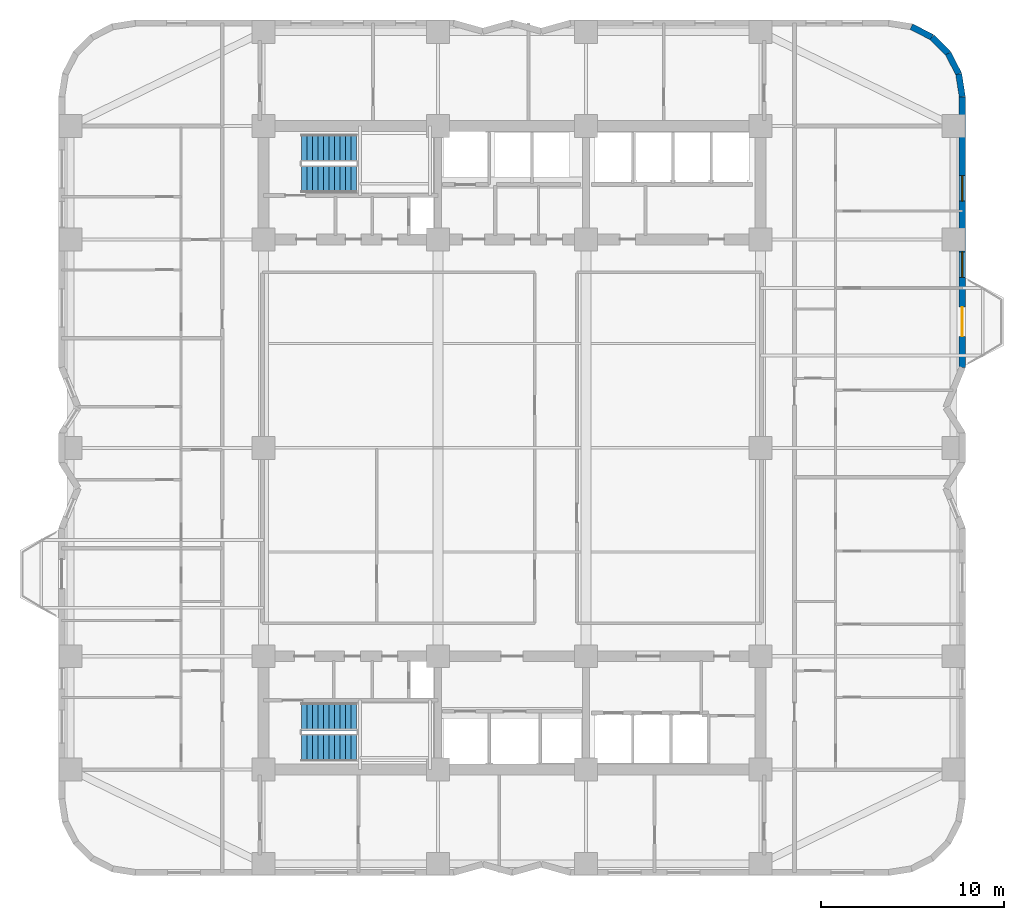
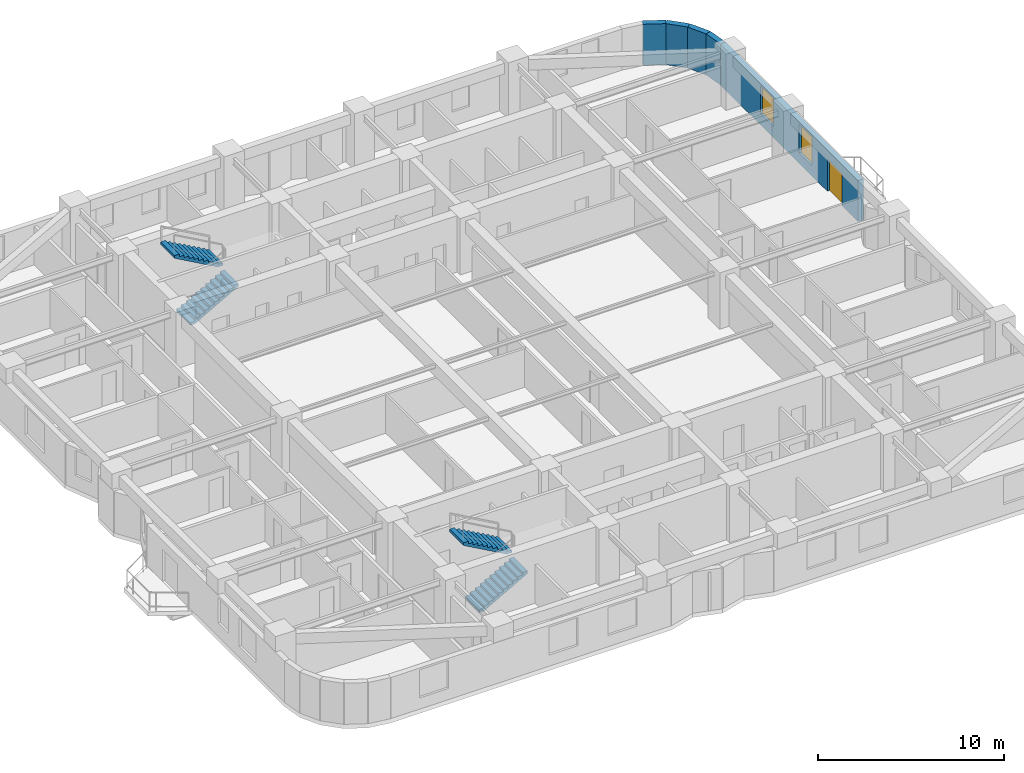
# One storey, part 8 of 10: 5 walls, 4 stair flights, 2 windows, 1 door, 3 openings, 2 elements without a shape of their own.
"""IFC4 building model written with IfcOpenShell, lengths in metres."""

import ifcopenshell
import ifcopenshell.guid

model = None  # the IFC model being written
_history = None  # IfcOwnerHistory: only IFC2X3 demands one
_inside = {}  # id of a spatial element -> (the spatial element, [elements in it])
_under = {}  # id of a project, library or spatial element -> (it, [spatial elements below it])
_declared = {}  # id of a project -> (the project, [libraries it declares])
_typed = {}  # id of a type object -> (the type object, [elements of that type])
_made_of = {}  # id of a material, layer set ... -> (it, [elements and type objects made of it])


def new_model(schema):
    """Start an empty IFC model of exactly this schema.

    Asked for "IFC4X3", IfcOpenShell would pick the latest addendum, in which some entities
    have other attributes; the version numbers below select the first issue.
    IFC2X3 requires an IfcOwnerHistory on every rooted entity: one is made here for all.
    """
    global model, _history
    if schema == "IFC4X3":
        model = ifcopenshell.file(schema_version=(4, 3, 0, 0))
    else:
        model = ifcopenshell.file(schema=schema)
    _inside.clear()
    _under.clear()
    _declared.clear()
    _typed.clear()
    _made_of.clear()
    _history = None
    if model.schema == "IFC2X3":
        org = make("IfcOrganization", Name="unknown")
        user = make(
            "IfcPersonAndOrganization",
            ThePerson=make("IfcPerson", FamilyName="unknown"),
            TheOrganization=org,
        )
        app = make(
            "IfcApplication",
            ApplicationDeveloper=org,
            Version="unknown",
            ApplicationFullName="unknown",
            ApplicationIdentifier="unknown",
        )
        _history = make(
            "IfcOwnerHistory",
            OwningUser=user,
            OwningApplication=app,
            ChangeAction="ADDED",
            CreationDate=0,
        )
    return model


def make(cls, **values):
    """One entity of the class cls with the attributes given. An attribute that is None is left unset."""
    return model.create_entity(
        cls, **{name: value for name, value in values.items() if value is not None}
    )


def rooted(cls, **values):
    """An entity with a GlobalId (a new one), such as an element, a storey or a relation."""
    return make(cls, GlobalId=ifcopenshell.guid.new(), OwnerHistory=_history, **values)


def si_unit(unit_type, name, prefix=None):
    """IfcSIUnit, for example si_unit("LENGTHUNIT", "METRE", prefix="MILLI")."""
    return make("IfcSIUnit", UnitType=unit_type, Prefix=prefix, Name=name)


def assignment(units):
    """IfcUnitAssignment: the units of a project."""
    return None if units is None else make("IfcUnitAssignment", Units=units)


def point(xyz):
    """IfcCartesianPoint."""
    return None if xyz is None else make("IfcCartesianPoint", Coordinates=xyz)


def direction(xyz):
    """IfcDirection."""
    return None if xyz is None else make("IfcDirection", DirectionRatios=xyz)


def frame(location, z_axis=None, x_axis=None):
    """IfcAxis2Placement3D, a coordinate frame: its origin and axes. An axis left out is left unset."""
    return make(
        "IfcAxis2Placement3D",
        Location=point(location),
        Axis=direction(z_axis),
        RefDirection=direction(x_axis),
    )


def frame_2d(location, x_axis=None):
    """IfcAxis2Placement2D, a coordinate frame in the plane: its origin and x axis."""
    return make(
        "IfcAxis2Placement2D", Location=point(location), RefDirection=direction(x_axis)
    )


def origin():
    """The frame at (0, 0, 0) with its axes left unset."""
    return frame((0.0, 0.0, 0.0))


def place(relative_to, where):
    """IfcLocalPlacement: puts the frame where relative to a parent placement (None: the world)."""
    return make(
        "IfcLocalPlacement", PlacementRelTo=relative_to, RelativePlacement=where
    )


def context(
    kind, dimensions, precision=None, world=None, true_north=None, identifier=None
):
    """IfcGeometricRepresentationContext, for example the 3D "Model" context."""
    return make(
        "IfcGeometricRepresentationContext",
        ContextIdentifier=identifier,
        ContextType=kind,
        CoordinateSpaceDimension=dimensions,
        Precision=precision,
        WorldCoordinateSystem=world,
        TrueNorth=true_north,
    )


def subcontext(parent, identifier, kind, view, scale=None):
    """IfcGeometricRepresentationSubContext, for example "Body" below "Model"."""
    return make(
        "IfcGeometricRepresentationSubContext",
        ContextIdentifier=identifier,
        ContextType=kind,
        ParentContext=parent,
        TargetScale=scale,
        TargetView=view,
    )


def project(units=None, contexts=None):
    """IfcProject with its units and contexts."""
    return rooted(
        "IfcProject",
        Name="project",
        RepresentationContexts=contexts,
        UnitsInContext=assignment(units),
    )


def spatial(cls, under=None, at=None, **own):
    """A site, building, storey or space (cls), placed at a placement, below another one or the project."""
    s = rooted(cls, ObjectPlacement=at, **own)
    if under is not None:
        _under.setdefault(under.id(), (under, []))[1].append(s)
    return s


def polyline(points):
    """IfcPolyline through the points."""
    return make("IfcPolyline", Points=[point(p) for p in points])


def profile(cls, at=None, kind="AREA", **sizes):
    """A parametric profile (cls). Its sizes go by their IFC names, for example OverallWidth=200.0."""
    return make(cls, ProfileType=kind, Position=at, **sizes)


def rectangle(**sizes):
    """IfcRectangleProfileDef."""
    return profile("IfcRectangleProfileDef", **sizes)


def outline(outer, holes=None, kind="AREA"):
    """IfcArbitraryClosedProfileDef: a profile drawn as a closed curve; with holes, ...WithVoids."""
    if holes is None:
        return make("IfcArbitraryClosedProfileDef", ProfileType=kind, OuterCurve=outer)
    return make(
        "IfcArbitraryProfileDefWithVoids",
        ProfileType=kind,
        OuterCurve=outer,
        InnerCurves=holes,
    )


def extrude(swept, where, along, depth):
    """IfcExtrudedAreaSolid: the profile swept, set in the frame where, extruded along a direction by depth."""
    return make(
        "IfcExtrudedAreaSolid",
        SweptArea=swept,
        Position=where,
        ExtrudedDirection=direction(along),
        Depth=depth,
    )


def shape(context_of_items, identifier, shape_type, items):
    """IfcShapeRepresentation: the items that make up one representation, for example the "Body"."""
    return make(
        "IfcShapeRepresentation",
        ContextOfItems=context_of_items,
        RepresentationIdentifier=identifier,
        RepresentationType=shape_type,
        Items=items,
    )


def material(Name=None, Category=None):
    """IfcMaterial."""
    return make("IfcMaterial", Name=Name, Category=Category)


def layer(
    of_material, thickness, ventilated=None, Name=None, Category=None, Priority=None
):
    """IfcMaterialLayer: one layer of a wall or slab, of a material (None: an air gap)."""
    return make(
        "IfcMaterialLayer",
        Material=of_material,
        LayerThickness=thickness,
        IsVentilated=ventilated,
        Name=Name,
        Category=Category,
        Priority=Priority,
    )


def layer_set(layers, Name=None):
    """IfcMaterialLayerSet."""
    return make("IfcMaterialLayerSet", MaterialLayers=layers, LayerSetName=Name)


def made_of(thing, what):
    """Note that an element or type object is made of a material, layer set ...; save() writes the relation."""
    if what is not None:
        _made_of.setdefault(what.id(), (what, []))[1].append(thing)
    return thing


def type_object(cls, material=None, **own):
    """A type object (cls), such as IfcWallType, which elements share."""
    return made_of(rooted(cls, **own), material)


def element(
    cls,
    number,
    at=None,
    inside=None,
    cuts=None,
    type_object=None,
    material=None,
    context=None,
    identifier="Body",
    shape_type=None,
    held_by="IfcProductDefinitionShape",
    body=None,
    shapes=None,
    **own,
):
    """One element of the class cls, such as IfcWall. Its Tag is "e" and its number.

    at: its placement. inside: the storey or other place that contains it. cuts: it is an
    opening in that element (IfcRelVoidsElement). A single representation is given by context,
    identifier, shape_type and body (its items); several are given by shapes. held_by: the class
    of the entity that holds the representations. save() writes the other relations.
    """
    e = rooted(cls, Tag="e%d" % number, ObjectPlacement=at, **own)
    if body is not None:
        shapes = [shape(context, identifier, shape_type, body)]
    if shapes is not None:
        e.Representation = make(held_by, Representations=shapes)
    if inside is not None:
        _inside.setdefault(inside.id(), (inside, []))[1].append(e)
    if cuts is not None:
        rooted(
            "IfcRelVoidsElement", RelatingBuildingElement=cuts, RelatedOpeningElement=e
        )
    if type_object is not None:
        _typed.setdefault(type_object.id(), (type_object, []))[1].append(e)
    return made_of(e, material)


def fill(opening, filler):
    """IfcRelFillsElement: the door or window that sits in an opening."""
    return rooted(
        "IfcRelFillsElement",
        RelatingOpeningElement=opening,
        RelatedBuildingElement=filler,
    )


def aggregate(whole, parts):
    """IfcRelAggregates: a whole, such as a stair, and the parts it consists of."""
    return rooted("IfcRelAggregates", RelatingObject=whole, RelatedObjects=parts)


def save(model, path):
    """Write the relations noted so far, then the file.

    IfcRelAggregates (storeys below a building ...), IfcRelContainedInSpatialStructure (elements
    in a storey), IfcRelDefinesByType, IfcRelAssociatesMaterial and IfcRelDeclares: one each for
    every whole, place, type object, material and project.
    """
    for whole, parts in _under.values():
        aggregate(whole, parts)
    for where, things in _inside.values():
        rooted(
            "IfcRelContainedInSpatialStructure",
            RelatedElements=things,
            RelatingStructure=where,
        )
    for kind, things in _typed.values():
        rooted("IfcRelDefinesByType", RelatedObjects=things, RelatingType=kind)
    for what, things in _made_of.values():
        rooted("IfcRelAssociatesMaterial", RelatedObjects=things, RelatingMaterial=what)
    for by, libraries in _declared.values():
        rooted("IfcRelDeclares", RelatingContext=by, RelatedDefinitions=libraries)
    model.write(path)


model = new_model("IFC4")

# Units and contexts
model_context = context("Model", 3, precision=1e-05, world=origin(), true_north=direction((0.0, 1.0)))
body_context = subcontext(model_context, "Body", "Model", "MODEL_VIEW")
ifc_project = project(units=[si_unit("LENGTHUNIT", "METRE"), si_unit("AREAUNIT", "SQUARE_METRE"), si_unit("VOLUMEUNIT", "CUBIC_METRE"), si_unit("PLANEANGLEUNIT", "RADIAN"), si_unit("MASSUNIT", "GRAM", prefix="KILO")], contexts=[model_context])

# Site, building, storey
site_placement = place(None, origin())
site = spatial("IfcSite", under=ifc_project, at=site_placement, CompositionType="ELEMENT")
building_placement = place(site_placement, origin())
building = spatial("IfcBuilding", under=site, at=building_placement, Name="Svetorya Sky Lyceum", CompositionType="ELEMENT")
storey_placement = place(building_placement, frame((0.0, 0.0, 43.60009765625)))
storey = spatial("IfcBuildingStorey", under=building, at=storey_placement, Name="L10", CompositionType="ELEMENT", Elevation=43.60009765625)

# Wall, openings, door, windows
ifc_material_1 = material(Name="Putilovo limestone rainscreen on autoclaved cellular masonry", Category="masonry")
ifc_layer = layer(ifc_material_1, 0.340087890625)
ifc_layer_set = layer_set([ifc_layer], Name="Putilovo limestone rainscreen on autoclaved cellular masonry")
wall_type = type_object("IfcWallType", Name="WL-EXT-340", PredefinedType="SOLIDWALL", material=ifc_layer_set)
wall_1_placement = place(storey_placement, frame((63.830078125, 32.60009765625, 0.0), z_axis=(0.0, 0.0, 1.0), x_axis=(0.0, 1.0, 0.0)))
wall_1 = element("IfcWall", 1, at=wall_1_placement, inside=storey, type_object=wall_type, Name="L10 Limestone Exterior Wall 23M", PredefinedType="SOLIDWALL", context=body_context, shape_type="SweptSolid", body=[
    extrude(rectangle(XDim=14.7998046875, YDim=0.340087890625, at=frame_2d((7.39990234375, 0.0))), origin(), (0.0, 0.0, 1.0), 2.699951171875),
])
opening_1_placement = place(wall_1_placement, frame((1.699951171875, 0.0, 0.0)))
opening_1 = element("IfcOpeningElement", 2, at=opening_1_placement, cuts=wall_1, Name="Opening D-BL1", PredefinedType="OPENING", context=body_context, shape_type="SweptSolid", body=[
    extrude(rectangle(XDim=1.60009765625, YDim=2.10009765625, at=frame_2d((0.800048828125, 1.050048828125))), frame((0.0, 0.179931640625, 0.0), z_axis=(0.0, -1.0, 0.0), x_axis=(1.0, 0.0, 0.0)), (0.0, 0.0, 1.0), 0.360107421875),
])
opening_2_placement = place(wall_1_placement, frame((4.919921875, 0.0, 0.68994140625)))
opening_2 = element("IfcOpeningElement", 3, at=opening_2_placement, cuts=wall_1, Name="Opening W-R2", PredefinedType="OPENING", context=body_context, shape_type="SweptSolid", body=[
    extrude(rectangle(XDim=1.39990234375, YDim=1.85009765625, at=frame_2d((0.699951171875, 0.925048828125))), frame((0.0, 0.179931640625, 0.0), z_axis=(0.0, -1.0, 0.0), x_axis=(1.0, 0.0, 0.0)), (0.0, 0.0, 1.0), 0.360107421875),
])
opening_3_placement = place(wall_1_placement, frame((9.08740234375, 0.0, 0.72998046875)))
opening_3 = element("IfcOpeningElement", 4, at=opening_3_placement, cuts=wall_1, Name="Opening W-R2", PredefinedType="OPENING", context=body_context, shape_type="SweptSolid", body=[
    extrude(rectangle(XDim=1.39990234375, YDim=1.85009765625, at=frame_2d((0.699951171875, 0.925048828125))), frame((0.0, 0.179931640625, 0.0), z_axis=(0.0, -1.0, 0.0), x_axis=(1.0, 0.0, 0.0)), (0.0, 0.0, 1.0), 0.360107421875),
])
ifc_material_2 = material(Name="Insulated glazed aluminium balcony door", Category="aluminium")
door_type = type_object("IfcDoorType", Name="DR-BAL-1600", OperationType="DOUBLE_DOOR_SINGLE_SWING", PredefinedType="DOOR", material=ifc_material_2)
door_placement = place(opening_1_placement, origin())
door = element("IfcDoor", 5, at=door_placement, inside=storey, type_object=door_type, Name="L10 Balcony BAL-E1 Door", OperationType="DOUBLE_DOOR_SINGLE_SWING", OverallHeight=2.10009765625, OverallWidth=1.60009765625, PredefinedType="DOOR", context=body_context, shape_type="SweptSolid", body=[
    extrude(rectangle(XDim=1.60009765625, YDim=2.10009765625, at=frame_2d((0.800048828125, 1.050048828125))), frame((0.0, 0.02490234375, 0.0), z_axis=(0.0, -1.0, 0.0), x_axis=(1.0, 0.0, 0.0)), (0.0, 0.0, 1.0), 0.050048828125),
])
fill(opening_1, door)
ifc_material_3 = material(Name="Thermally broken aluminium frame with triple low-E glazing", Category="aluminium")
window_type = type_object("IfcWindowType", Name="WN-RES-140", PartitioningType="SINGLE_PANEL", PredefinedType="WINDOW", material=ifc_material_3)
window_1_placement = place(opening_2_placement, origin())
window_1 = element("IfcWindow", 6, at=window_1_placement, inside=storey, type_object=window_type, Name="L10 Facade Window W-R2.23M.2", OverallHeight=1.85009765625, OverallWidth=1.39990234375, PartitioningType="SINGLE_PANEL", PredefinedType="WINDOW", context=body_context, shape_type="SweptSolid", body=[
    extrude(rectangle(XDim=1.39990234375, YDim=1.85009765625, at=frame_2d((0.699951171875, 0.925048828125))), frame((0.0, 0.030029296875, 0.0), z_axis=(0.0, -1.0, 0.0), x_axis=(1.0, 0.0, 0.0)), (0.0, 0.0, 1.0), 0.06005859375),
])
fill(opening_2, window_1)
window_2_placement = place(opening_3_placement, origin())
window_2 = element("IfcWindow", 7, at=window_2_placement, inside=storey, type_object=window_type, Name="L10 Facade Window W-R2.23M.1", OverallHeight=1.85009765625, OverallWidth=1.39990234375, PartitioningType="SINGLE_PANEL", PredefinedType="WINDOW", context=body_context, shape_type="SweptSolid", body=[
    extrude(rectangle(XDim=1.39990234375, YDim=1.85009765625, at=frame_2d((0.699951171875, 0.925048828125))), frame((0.0, 0.030029296875, 0.0), z_axis=(0.0, -1.0, 0.0), x_axis=(1.0, 0.0, 0.0)), (0.0, 0.0, 1.0), 0.06005859375),
])
fill(opening_3, window_2)

# Walls
for number, where, z_axis, x_axis, name in (
    (8, (63.830078125, 47.39990234375, 0.0), (0.0, 0.0, 1.0), (-0.15644975923, 0.987685918112, 0.0), "L10 Limestone Exterior Wall 24M"),
    (9, (63.6328125, 48.645263671875, 0.0), (0.0, 0.0, 1.0), (-0.454015689056, 0.890993689142, 0.0), "L10 Limestone Exterior Wall 25M"),
    (10, (63.060302734375, 49.768798828125, 0.0), (0.0, 0.0, 1.0), (-0.707106781187, 0.707106781187, 0.0), "L10 Limestone Exterior Wall 26M"),
):
    element("IfcWall", number, at=place(storey_placement, frame(where, z_axis=z_axis, x_axis=x_axis)), inside=storey, type_object=wall_type, Name=name, PredefinedType="SOLIDWALL", context=body_context, shape_type="SweptSolid", body=[
        extrude(rectangle(XDim=1.260986328125, YDim=0.340087890625, at=frame_2d((0.63037109375, 0.0))), origin(), (0.0, 0.0, 1.0), 2.699951171875),
    ])
wall_2_placement = place(storey_placement, frame((62.168701171875, 50.660400390625, 0.0), z_axis=(0.0, 0.0, 1.0), x_axis=(-0.890953769915, 0.454094020963, 0.0)))
element("IfcWall", 11, at=wall_2_placement, inside=storey, type_object=wall_type, Name="L10 Limestone Exterior Wall 27M", PredefinedType="SOLIDWALL", context=body_context, shape_type="SweptSolid", body=[
    extrude(rectangle(XDim=1.2607421875, YDim=0.340087890625, at=frame_2d((0.63037109375, 0.0))), origin(), (0.0, 0.0, 1.0), 2.699951171875),
])

# Stair, stair flights
ifc_material_4 = material(Name="Concrete C40/50", Category="concrete")
stair_type_1 = type_object("IfcStairType", Name="STR-ST-N", PredefinedType="HALF_TURN_STAIR", material=ifc_material_4)
stair_1_placement = place(storey_placement, origin())
stair_1 = element("IfcStair", 12, at=stair_1_placement, inside=storey, type_object=stair_type_1, Name="L10 North Core Smoke-Free Exit Stair N3", PredefinedType="HALF_TURN_STAIR")
stair_flight_type_1 = type_object("IfcStairFlightType", Name="SFL-ST-N", PredefinedType="STRAIGHT", material=ifc_material_4)
stair_flight_1_placement = place(storey_placement, frame((27.699951171875, 42.89990234375, 0.0), z_axis=(0.0, 0.0, 1.0), x_axis=(1.0, 0.0, 0.0)))
stair_flight_1 = element("IfcStairFlight", 13, at=stair_flight_1_placement, type_object=stair_flight_type_1, Name="ST-N flight 1", NumberOfRisers=11, NumberOfTreads=10, PredefinedType="STRAIGHT", RiserHeight=0.168181818, TreadLength=0.3, context=body_context, shape_type="SweptSolid", body=[
    extrude(outline(polyline([(0.0, 0.0), (0.0, 0.168212890625), (0.300048828125, 0.168212890625), (0.300048828125, 0.33642578125), (0.60009765625, 0.33642578125), (0.60009765625, 0.504638671875), (0.89990234375, 0.504638671875), (0.89990234375, 0.672607421875), (1.199951171875, 0.672607421875), (1.199951171875, 0.8408203125), (1.5, 0.8408203125), (1.5, 1.009033203125), (1.800048828125, 1.009033203125), (1.800048828125, 1.17724609375), (2.10009765625, 1.17724609375), (2.10009765625, 1.345458984375), (2.39990234375, 1.345458984375), (2.39990234375, 1.513671875), (2.699951171875, 1.513671875), (2.699951171875, 1.681884765625), (3.0, 1.681884765625), (3.0, 1.85009765625), (3.0, 1.510009765625), (0.306640625, 0.0), (0.0, 0.0)])), frame((0.0, 0.75, 0.0), z_axis=(0.0, -1.0, 0.0), x_axis=(1.0, 0.0, 0.0)), (0.0, 0.0, 1.0), 1.5),
])
stair_flight_2_placement = place(storey_placement, frame((30.699951171875, 44.60009765625, 1.849853515625), z_axis=(0.0, 0.0, 1.0), x_axis=(-1.0, 0.0, 0.0)))
stair_flight_2 = element("IfcStairFlight", 14, at=stair_flight_2_placement, type_object=stair_flight_type_1, Name="ST-N flight 2", NumberOfRisers=11, NumberOfTreads=10, PredefinedType="STRAIGHT", RiserHeight=0.168181818, TreadLength=0.3, context=body_context, shape_type="SweptSolid", body=[
    extrude(outline(polyline([(0.0, 0.0), (0.0, 0.168212890625), (0.300048828125, 0.168212890625), (0.300048828125, 0.33642578125), (0.60009765625, 0.33642578125), (0.60009765625, 0.504638671875), (0.89990234375, 0.504638671875), (0.89990234375, 0.672607421875), (1.199951171875, 0.672607421875), (1.199951171875, 0.8408203125), (1.5, 0.8408203125), (1.5, 1.009033203125), (1.800048828125, 1.009033203125), (1.800048828125, 1.17724609375), (2.10009765625, 1.17724609375), (2.10009765625, 1.345458984375), (2.39990234375, 1.345458984375), (2.39990234375, 1.513671875), (2.699951171875, 1.513671875), (2.699951171875, 1.681884765625), (3.0, 1.681884765625), (3.0, 1.85009765625), (3.0, 1.510009765625), (0.306640625, 0.0), (0.0, 0.0)])), frame((0.0, 0.75, 0.0), z_axis=(0.0, -1.0, 0.0), x_axis=(1.0, 0.0, 0.0)), (0.0, 0.0, 1.0), 1.5),
])
aggregate(stair_1, [stair_flight_1, stair_flight_2])

stair_type_2 = type_object("IfcStairType", Name="STR-ST-S", PredefinedType="HALF_TURN_STAIR", material=ifc_material_4)
stair_2_placement = place(storey_placement, origin())
stair_2 = element("IfcStair", 15, at=stair_2_placement, inside=storey, type_object=stair_type_2, Name="L10 South Core Smoke-Free Exit Stair N2", PredefinedType="HALF_TURN_STAIR")
stair_flight_type_2 = type_object("IfcStairFlightType", Name="SFL-ST-S", PredefinedType="STRAIGHT", material=ifc_material_4)
stair_flight_3_placement = place(storey_placement, frame((27.699951171875, 11.800048828125, 0.0), z_axis=(0.0, 0.0, 1.0), x_axis=(1.0, 0.0, 0.0)))
stair_flight_3 = element("IfcStairFlight", 16, at=stair_flight_3_placement, type_object=stair_flight_type_2, Name="ST-S flight 1", NumberOfRisers=11, NumberOfTreads=10, PredefinedType="STRAIGHT", RiserHeight=0.168181818, TreadLength=0.3, context=body_context, shape_type="SweptSolid", body=[
    extrude(outline(polyline([(0.0, 0.0), (0.0, 0.168212890625), (0.300048828125, 0.168212890625), (0.300048828125, 0.33642578125), (0.60009765625, 0.33642578125), (0.60009765625, 0.504638671875), (0.89990234375, 0.504638671875), (0.89990234375, 0.672607421875), (1.199951171875, 0.672607421875), (1.199951171875, 0.8408203125), (1.5, 0.8408203125), (1.5, 1.009033203125), (1.800048828125, 1.009033203125), (1.800048828125, 1.17724609375), (2.10009765625, 1.17724609375), (2.10009765625, 1.345458984375), (2.39990234375, 1.345458984375), (2.39990234375, 1.513671875), (2.699951171875, 1.513671875), (2.699951171875, 1.681884765625), (3.0, 1.681884765625), (3.0, 1.85009765625), (3.0, 1.510009765625), (0.306640625, 0.0), (0.0, 0.0)])), frame((0.0, 0.75, 0.0), z_axis=(0.0, -1.0, 0.0), x_axis=(1.0, 0.0, 0.0)), (0.0, 0.0, 1.0), 1.5),
])
stair_flight_4_placement = place(storey_placement, frame((30.699951171875, 13.5, 1.849853515625), z_axis=(0.0, 0.0, 1.0), x_axis=(-1.0, 0.0, 0.0)))
stair_flight_4 = element("IfcStairFlight", 17, at=stair_flight_4_placement, type_object=stair_flight_type_2, Name="ST-S flight 2", NumberOfRisers=11, NumberOfTreads=10, PredefinedType="STRAIGHT", RiserHeight=0.168181818, TreadLength=0.3, context=body_context, shape_type="SweptSolid", body=[
    extrude(outline(polyline([(0.0, 0.0), (0.0, 0.168212890625), (0.300048828125, 0.168212890625), (0.300048828125, 0.33642578125), (0.60009765625, 0.33642578125), (0.60009765625, 0.504638671875), (0.89990234375, 0.504638671875), (0.89990234375, 0.672607421875), (1.199951171875, 0.672607421875), (1.199951171875, 0.8408203125), (1.5, 0.8408203125), (1.5, 1.009033203125), (1.800048828125, 1.009033203125), (1.800048828125, 1.17724609375), (2.10009765625, 1.17724609375), (2.10009765625, 1.345458984375), (2.39990234375, 1.345458984375), (2.39990234375, 1.513671875), (2.699951171875, 1.513671875), (2.699951171875, 1.681884765625), (3.0, 1.681884765625), (3.0, 1.85009765625), (3.0, 1.510009765625), (0.306640625, 0.0), (0.0, 0.0)])), frame((0.0, 0.75, 0.0), z_axis=(0.0, -1.0, 0.0), x_axis=(1.0, 0.0, 0.0)), (0.0, 0.0, 1.0), 1.5),
])
aggregate(stair_2, [stair_flight_3, stair_flight_4])

save(model, "model.ifc")
